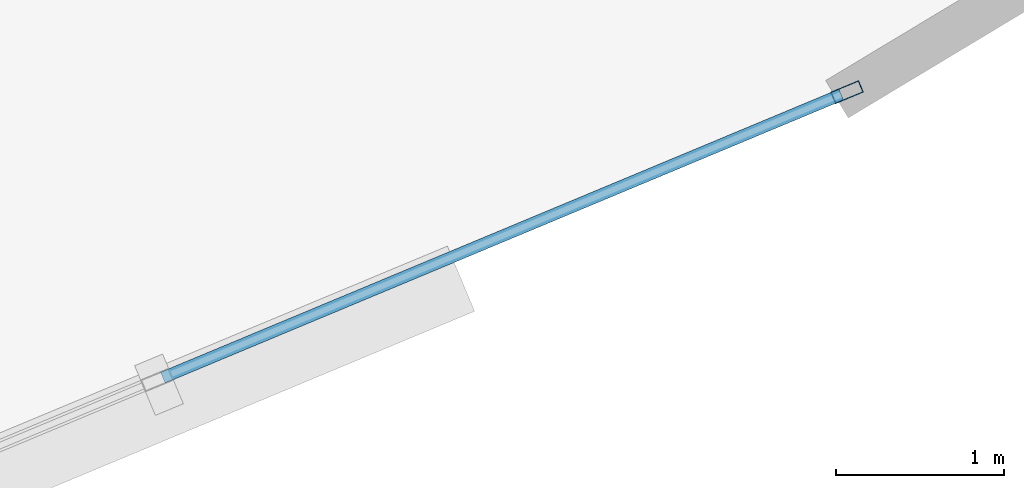
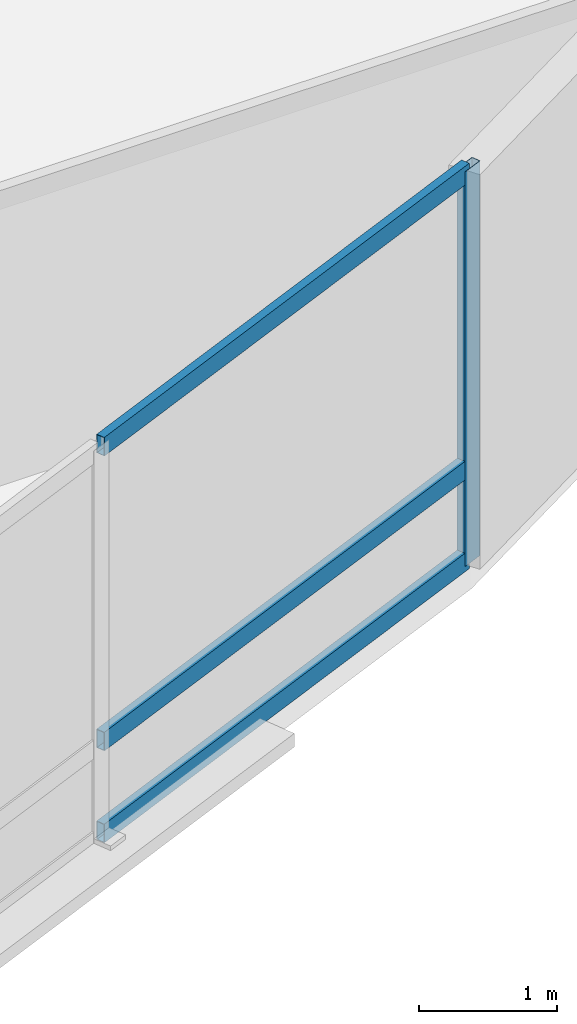
# One storey, part 10 of 17: 4 members, 1 element without a shape of its own.
"""IFC4 building model written with IfcOpenShell, lengths in metres."""

import ifcopenshell
import ifcopenshell.guid

model = None  # the IFC model being written
_history = None  # IfcOwnerHistory: only IFC2X3 demands one
_inside = {}  # id of a spatial element -> (the spatial element, [elements in it])
_under = {}  # id of a project, library or spatial element -> (it, [spatial elements below it])
_declared = {}  # id of a project -> (the project, [libraries it declares])
_typed = {}  # id of a type object -> (the type object, [elements of that type])
_made_of = {}  # id of a material, layer set ... -> (it, [elements and type objects made of it])


def new_model(schema):
    """Start an empty IFC model of exactly this schema.

    Asked for "IFC4X3", IfcOpenShell would pick the latest addendum, in which some entities
    have other attributes; the version numbers below select the first issue.
    IFC2X3 requires an IfcOwnerHistory on every rooted entity: one is made here for all.
    """
    global model, _history
    if schema == "IFC4X3":
        model = ifcopenshell.file(schema_version=(4, 3, 0, 0))
    else:
        model = ifcopenshell.file(schema=schema)
    _inside.clear()
    _under.clear()
    _declared.clear()
    _typed.clear()
    _made_of.clear()
    _history = None
    if model.schema == "IFC2X3":
        org = make("IfcOrganization", Name="unknown")
        user = make(
            "IfcPersonAndOrganization",
            ThePerson=make("IfcPerson", FamilyName="unknown"),
            TheOrganization=org,
        )
        app = make(
            "IfcApplication",
            ApplicationDeveloper=org,
            Version="unknown",
            ApplicationFullName="unknown",
            ApplicationIdentifier="unknown",
        )
        _history = make(
            "IfcOwnerHistory",
            OwningUser=user,
            OwningApplication=app,
            ChangeAction="ADDED",
            CreationDate=0,
        )
    return model


def make(cls, **values):
    """One entity of the class cls with the attributes given. An attribute that is None is left unset."""
    return model.create_entity(
        cls, **{name: value for name, value in values.items() if value is not None}
    )


def rooted(cls, **values):
    """An entity with a GlobalId (a new one), such as an element, a storey or a relation."""
    return make(cls, GlobalId=ifcopenshell.guid.new(), OwnerHistory=_history, **values)


def si_unit(unit_type, name, prefix=None):
    """IfcSIUnit, for example si_unit("LENGTHUNIT", "METRE", prefix="MILLI")."""
    return make("IfcSIUnit", UnitType=unit_type, Prefix=prefix, Name=name)


def assignment(units):
    """IfcUnitAssignment: the units of a project."""
    return None if units is None else make("IfcUnitAssignment", Units=units)


def point(xyz):
    """IfcCartesianPoint."""
    return None if xyz is None else make("IfcCartesianPoint", Coordinates=xyz)


def direction(xyz):
    """IfcDirection."""
    return None if xyz is None else make("IfcDirection", DirectionRatios=xyz)


def frame(location, z_axis=None, x_axis=None):
    """IfcAxis2Placement3D, a coordinate frame: its origin and axes. An axis left out is left unset."""
    return make(
        "IfcAxis2Placement3D",
        Location=point(location),
        Axis=direction(z_axis),
        RefDirection=direction(x_axis),
    )


def frame_2d(location, x_axis=None):
    """IfcAxis2Placement2D, a coordinate frame in the plane: its origin and x axis."""
    return make(
        "IfcAxis2Placement2D", Location=point(location), RefDirection=direction(x_axis)
    )


def origin():
    """The frame at (0, 0, 0) with its axes left unset."""
    return frame((0.0, 0.0, 0.0))


def origin_2d():
    """The frame at (0, 0) in the plane with its x axis left unset."""
    return frame_2d((0.0, 0.0))


def place(relative_to, where):
    """IfcLocalPlacement: puts the frame where relative to a parent placement (None: the world)."""
    return make(
        "IfcLocalPlacement", PlacementRelTo=relative_to, RelativePlacement=where
    )


def context(
    kind, dimensions, precision=None, world=None, true_north=None, identifier=None
):
    """IfcGeometricRepresentationContext, for example the 3D "Model" context."""
    return make(
        "IfcGeometricRepresentationContext",
        ContextIdentifier=identifier,
        ContextType=kind,
        CoordinateSpaceDimension=dimensions,
        Precision=precision,
        WorldCoordinateSystem=world,
        TrueNorth=true_north,
    )


def subcontext(parent, identifier, kind, view, scale=None):
    """IfcGeometricRepresentationSubContext, for example "Body" below "Model"."""
    return make(
        "IfcGeometricRepresentationSubContext",
        ContextIdentifier=identifier,
        ContextType=kind,
        ParentContext=parent,
        TargetScale=scale,
        TargetView=view,
    )


def project(units=None, contexts=None):
    """IfcProject with its units and contexts."""
    return rooted(
        "IfcProject",
        Name="project",
        RepresentationContexts=contexts,
        UnitsInContext=assignment(units),
    )


def spatial(cls, under=None, at=None, **own):
    """A site, building, storey or space (cls), placed at a placement, below another one or the project."""
    s = rooted(cls, ObjectPlacement=at, **own)
    if under is not None:
        _under.setdefault(under.id(), (under, []))[1].append(s)
    return s


def profile(cls, at=None, kind="AREA", **sizes):
    """A parametric profile (cls). Its sizes go by their IFC names, for example OverallWidth=200.0."""
    return make(cls, ProfileType=kind, Position=at, **sizes)


def hollow_rectangle(**sizes):
    """IfcRectangleHollowProfileDef."""
    return profile("IfcRectangleHollowProfileDef", **sizes)


def extrude(swept, where, along, depth):
    """IfcExtrudedAreaSolid: the profile swept, set in the frame where, extruded along a direction by depth."""
    return make(
        "IfcExtrudedAreaSolid",
        SweptArea=swept,
        Position=where,
        ExtrudedDirection=direction(along),
        Depth=depth,
    )


def shape(context_of_items, identifier, shape_type, items):
    """IfcShapeRepresentation: the items that make up one representation, for example the "Body"."""
    return make(
        "IfcShapeRepresentation",
        ContextOfItems=context_of_items,
        RepresentationIdentifier=identifier,
        RepresentationType=shape_type,
        Items=items,
    )


def material(Name=None, Category=None):
    """IfcMaterial."""
    return make("IfcMaterial", Name=Name, Category=Category)


def layer(
    of_material, thickness, ventilated=None, Name=None, Category=None, Priority=None
):
    """IfcMaterialLayer: one layer of a wall or slab, of a material (None: an air gap)."""
    return make(
        "IfcMaterialLayer",
        Material=of_material,
        LayerThickness=thickness,
        IsVentilated=ventilated,
        Name=Name,
        Category=Category,
        Priority=Priority,
    )


def layer_set(layers, Name=None):
    """IfcMaterialLayerSet."""
    return make("IfcMaterialLayerSet", MaterialLayers=layers, LayerSetName=Name)


def material_profile(
    of_material, cross_section, Name=None, Category=None, Priority=None
):
    """IfcMaterialProfile: a cross section and its material."""
    return make(
        "IfcMaterialProfile",
        Name=Name,
        Material=of_material,
        Profile=cross_section,
        Priority=Priority,
        Category=Category,
    )


def profile_set(profiles, Name=None, composite=None):
    """IfcMaterialProfileSet."""
    return make(
        "IfcMaterialProfileSet",
        Name=Name,
        MaterialProfiles=profiles,
        CompositeProfile=composite,
    )


def made_of(thing, what):
    """Note that an element or type object is made of a material, layer set ...; save() writes the relation."""
    if what is not None:
        _made_of.setdefault(what.id(), (what, []))[1].append(thing)
    return thing


def type_object(cls, material=None, **own):
    """A type object (cls), such as IfcWallType, which elements share."""
    return made_of(rooted(cls, **own), material)


def element(
    cls,
    number,
    at=None,
    inside=None,
    cuts=None,
    type_object=None,
    material=None,
    context=None,
    identifier="Body",
    shape_type=None,
    held_by="IfcProductDefinitionShape",
    body=None,
    shapes=None,
    **own,
):
    """One element of the class cls, such as IfcWall. Its Tag is "e" and its number.

    at: its placement. inside: the storey or other place that contains it. cuts: it is an
    opening in that element (IfcRelVoidsElement). A single representation is given by context,
    identifier, shape_type and body (its items); several are given by shapes. held_by: the class
    of the entity that holds the representations. save() writes the other relations.
    """
    e = rooted(cls, Tag="e%d" % number, ObjectPlacement=at, **own)
    if body is not None:
        shapes = [shape(context, identifier, shape_type, body)]
    if shapes is not None:
        e.Representation = make(held_by, Representations=shapes)
    if inside is not None:
        _inside.setdefault(inside.id(), (inside, []))[1].append(e)
    if cuts is not None:
        rooted(
            "IfcRelVoidsElement", RelatingBuildingElement=cuts, RelatedOpeningElement=e
        )
    if type_object is not None:
        _typed.setdefault(type_object.id(), (type_object, []))[1].append(e)
    return made_of(e, material)


def aggregate(whole, parts):
    """IfcRelAggregates: a whole, such as a stair, and the parts it consists of."""
    return rooted("IfcRelAggregates", RelatingObject=whole, RelatedObjects=parts)


def save(model, path):
    """Write the relations noted so far, then the file.

    IfcRelAggregates (storeys below a building ...), IfcRelContainedInSpatialStructure (elements
    in a storey), IfcRelDefinesByType, IfcRelAssociatesMaterial and IfcRelDeclares: one each for
    every whole, place, type object, material and project.
    """
    for whole, parts in _under.values():
        aggregate(whole, parts)
    for where, things in _inside.values():
        rooted(
            "IfcRelContainedInSpatialStructure",
            RelatedElements=things,
            RelatingStructure=where,
        )
    for kind, things in _typed.values():
        rooted("IfcRelDefinesByType", RelatedObjects=things, RelatingType=kind)
    for what, things in _made_of.values():
        rooted("IfcRelAssociatesMaterial", RelatedObjects=things, RelatingMaterial=what)
    for by, libraries in _declared.values():
        rooted("IfcRelDeclares", RelatingContext=by, RelatedDefinitions=libraries)
    model.write(path)


model = new_model("IFC4")

# Units and contexts
model_context = context("Model", 3, precision=1e-05, world=origin(), true_north=direction((0.0, 1.0)))
body_context = subcontext(model_context, "Body", "Model", "MODEL_VIEW")
ifc_project = project(units=[si_unit("LENGTHUNIT", "METRE"), si_unit("AREAUNIT", "SQUARE_METRE"), si_unit("VOLUMEUNIT", "CUBIC_METRE"), si_unit("PLANEANGLEUNIT", "RADIAN"), si_unit("MASSUNIT", "GRAM", prefix="KILO")], contexts=[model_context])

# Site, building, storey
site_placement = place(None, origin())
site = spatial("IfcSite", under=ifc_project, at=site_placement, CompositionType="ELEMENT")
building_placement = place(site_placement, origin())
building = spatial("IfcBuilding", under=site, at=building_placement, Name="Menara Vayukalpa", CompositionType="ELEMENT")
storey_placement = place(building_placement, frame((0.0, 0.0, 154.320068359375)))
storey = spatial("IfcBuildingStorey", under=building, at=storey_placement, Name="L38", CompositionType="ELEMENT", Elevation=154.320068359375)

# Curtain wall, members
ifc_material_1 = material(Name="Anodised Terracotta Aluminium Alloy 6063-T6", Category="masonry")
ifc_layer = layer(ifc_material_1, 0.179931640625)
ifc_layer_set = layer_set([ifc_layer], Name="Anodised Terracotta Aluminium Alloy 6063-T6")
curtain_wall_type = type_object("IfcCurtainWallType", Name="CW-CW4", PredefinedType="USERDEFINED", material=ifc_layer_set)
curtain_wall_placement = place(storey_placement, origin())
curtain_wall = element("IfcCurtainWall", 1, at=curtain_wall_placement, inside=storey, type_object=curtain_wall_type, Name="L38 Sky Bar Cantilever Glazed Curtain Wall CW4 17", ObjectType="UNITISED", PredefinedType="USERDEFINED")
ifc_material_2 = material(Name="Anodised Terracotta Aluminium Alloy 6063-T6", Category="masonry")
ifc_material_profile_1 = material_profile(ifc_material_2, hollow_rectangle(XDim=0.074951171875, YDim=0.179931640625, WallThickness=0.00390625, at=origin_2d()), Name="ALU 75x180x4")
ifc_profile_set_1 = profile_set([ifc_material_profile_1], Name="Anodised Terracotta Aluminium Alloy 6063-T6")
member_type_1 = type_object("IfcMemberType", Name="CWM-CW4", PredefinedType="MULLION", material=ifc_profile_set_1)
member_1_placement = place(storey_placement, frame((46.20068359375, 14.960205078125, 0.0), z_axis=(0.0, 0.0, 1.0), x_axis=(-0.385091352437, 0.922878459104, 0.0)))
member_1 = element("IfcMember", 2, at=member_1_placement, type_object=member_type_1, Name="CW4 mullion 3", PredefinedType="MULLION", context=body_context, shape_type="SweptSolid", body=[
    extrude(hollow_rectangle(XDim=0.074951171875, YDim=0.179931640625, WallThickness=0.00390625, at=origin_2d()), origin(), (0.0, 0.0, 1.0), 3.5),
])
ifc_material_3 = material(Name="Anodised Terracotta Aluminium Alloy 6063-T6", Category="masonry")
ifc_material_profile_2 = material_profile(ifc_material_3, hollow_rectangle(XDim=0.070068359375, YDim=0.1650390625, WallThickness=0.00390625, at=origin_2d()), Name="ALU 70x165x4")
ifc_profile_set_2 = profile_set([ifc_material_profile_2], Name="Anodised Terracotta Aluminium Alloy 6063-T6")
member_type_2 = type_object("IfcMemberType", Name="CWT-CW4", PredefinedType="USERDEFINED", material=ifc_profile_set_2)
member_2_placement = place(storey_placement, frame((42.133056640625, 13.262939453125, 0.034912109375), z_axis=(0.9228767989, 0.385095331123, 0.0), x_axis=(-0.385095331123, 0.9228767989, 0.0)))
member_2 = element("IfcMember", 3, at=member_2_placement, type_object=member_type_2, Name="CW4 transom 2.1", ObjectType="TRANSOM", PredefinedType="USERDEFINED", context=body_context, shape_type="SweptSolid", body=[
    extrude(hollow_rectangle(XDim=0.070068359375, YDim=0.1650390625, WallThickness=0.00390625, at=origin_2d()), origin(), (0.0, 0.0, 1.0), 4.369873046875),
])
member_3_placement = place(storey_placement, frame((42.133056640625, 13.262939453125, 0.849853515625), z_axis=(0.9228767989, 0.385095331123, 0.0), x_axis=(-0.385095331123, 0.9228767989, 0.0)))
member_3 = element("IfcMember", 4, at=member_3_placement, type_object=member_type_2, Name="CW4 transom 2.2", ObjectType="TRANSOM", PredefinedType="USERDEFINED", context=body_context, shape_type="SweptSolid", body=[
    extrude(hollow_rectangle(XDim=0.070068359375, YDim=0.1650390625, WallThickness=0.00390625, at=origin_2d()), origin(), (0.0, 0.0, 1.0), 4.369873046875),
])
member_4_placement = place(storey_placement, frame((42.133056640625, 13.262939453125, 3.46484375), z_axis=(0.9228767989, 0.385095331123, 0.0), x_axis=(-0.385095331123, 0.9228767989, 0.0)))
member_4 = element("IfcMember", 5, at=member_4_placement, type_object=member_type_2, Name="CW4 transom 2.3", ObjectType="TRANSOM", PredefinedType="USERDEFINED", context=body_context, shape_type="SweptSolid", body=[
    extrude(hollow_rectangle(XDim=0.070068359375, YDim=0.1650390625, WallThickness=0.00390625, at=origin_2d()), origin(), (0.0, 0.0, 1.0), 4.369873046875),
])
aggregate(curtain_wall, [member_1, member_2, member_3, member_4])

save(model, "model.ifc")
